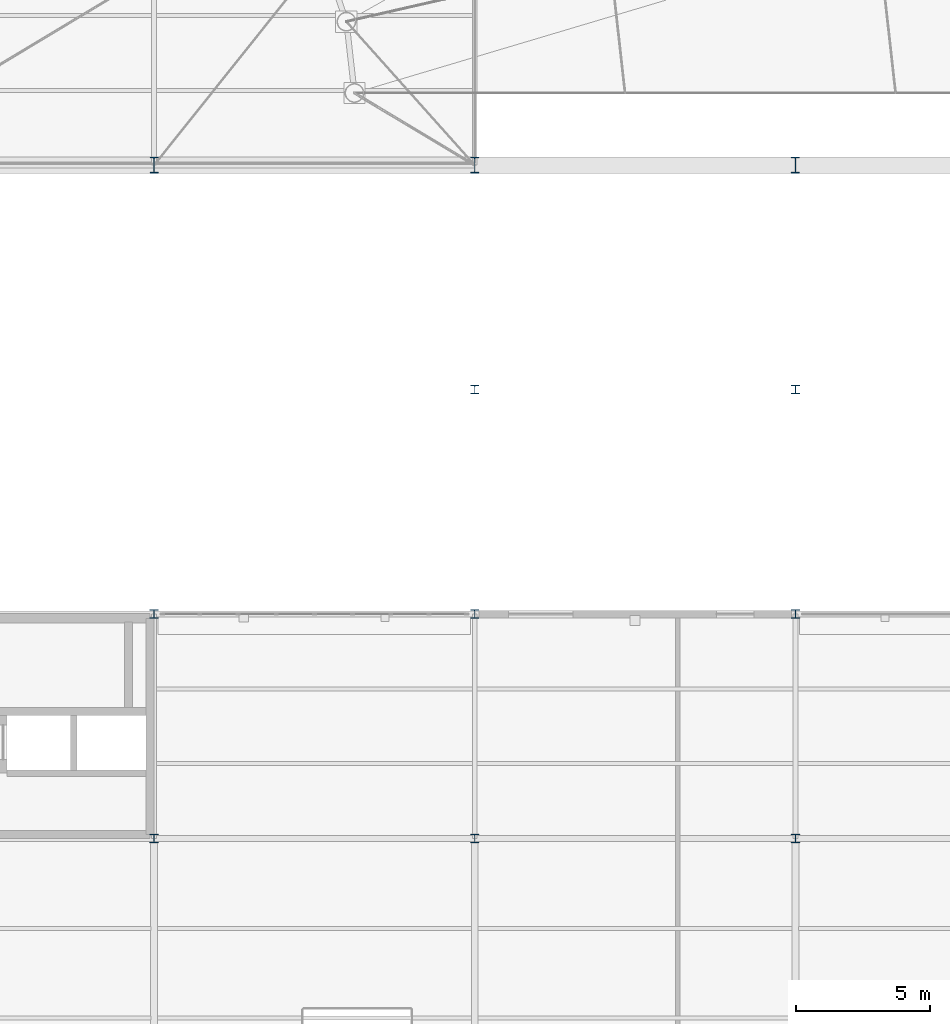
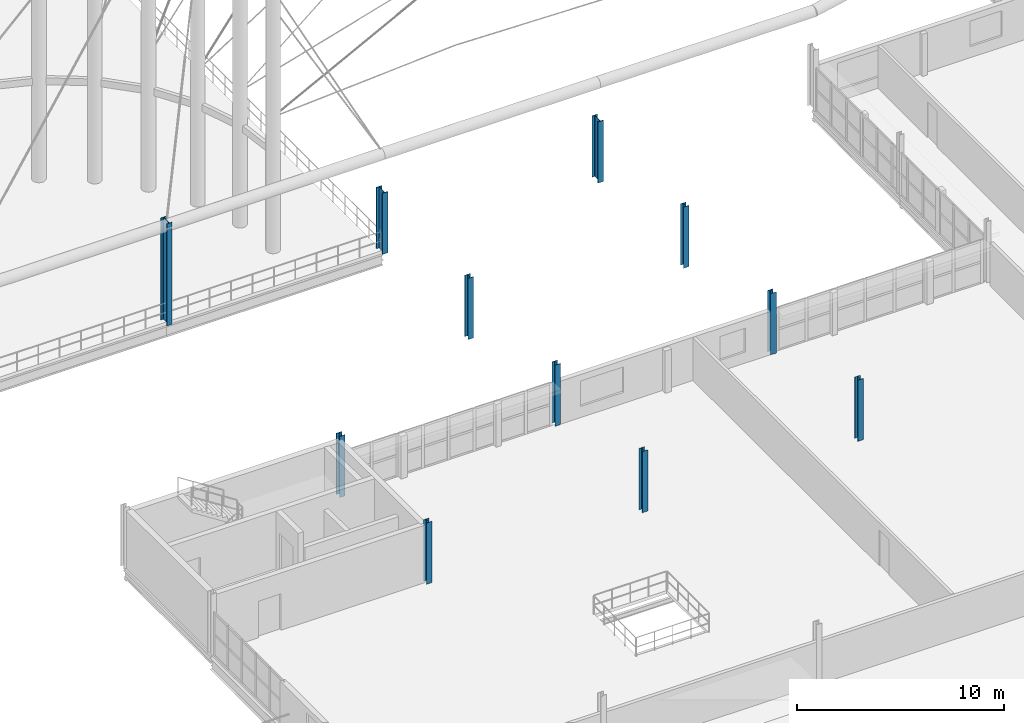
# One storey, part 19 of 101: 11 columns.
"""IFC4 building model written with IfcOpenShell, lengths in metres."""

from ifc_helpers import new_model, si_unit, direction, frame, origin, origin_2d, place, context, subcontext, project, spatial, i_section, extrude, material, material_profile, profile_set, type_object, element, save


model = new_model("IFC4")

# Units and contexts
model_context = context("Model", 3, precision=1e-05, world=origin(), true_north=direction((0.0, 1.0)))
body_context = subcontext(model_context, "Body", "Model", "MODEL_VIEW")
ifc_project = project(units=[si_unit("LENGTHUNIT", "METRE"), si_unit("AREAUNIT", "SQUARE_METRE"), si_unit("VOLUMEUNIT", "CUBIC_METRE"), si_unit("PLANEANGLEUNIT", "RADIAN"), si_unit("MASSUNIT", "GRAM", prefix="KILO"), si_unit("THERMODYNAMICTEMPERATUREUNIT", "KELVIN"), si_unit("POWERUNIT", "WATT")], contexts=[model_context])

# Site, building, storey
site_placement = place(None, origin())
site = spatial("IfcSite", under=ifc_project, at=site_placement, CompositionType="ELEMENT")
building_placement = place(site_placement, origin())
building = spatial("IfcBuilding", under=site, at=building_placement, Name="Tembeka Court Mobility Hub", CompositionType="ELEMENT")
storey_placement = place(building_placement, frame((0.0, 0.0, 5.39990234375)))
storey = spatial("IfcBuildingStorey", under=building, at=storey_placement, Name="L01", CompositionType="ELEMENT", Elevation=5.39990234375)

# Columns
ifc_material = material(Name="Steel S355", Category="steel")
ifc_material_profile_1 = material_profile(ifc_material, i_section(OverallWidth=0.30908203125, OverallDepth=0.321044921875, WebThickness=0.013916015625, FlangeThickness=0.021728515625, FilletRadius=0.01513671875, at=origin_2d()), Name="UKC 305x305x137")
ifc_profile_set_1 = profile_set([ifc_material_profile_1], Name="Steel S355")
column_type_1 = type_object("IfcColumnType", Name="COL-C04", PredefinedType="COLUMN", material=ifc_profile_set_1)
for number, where, z_axis, x_axis, name in (
    (1, (128.39990234375, 38.39990234375, 0.0), (0.0, 0.0, 1.0), (1.0, 0.0, 0.0), "Column C04 (L01-176)"),
    (2, (128.39990234375, 46.800048828125, 0.0), (0.0, 0.0, 1.0), (1.0, 0.0, 0.0), "Column C04 (L01-177)"),
    (3, (140.39990234375, 38.39990234375, 0.0), (0.0, 0.0, 1.0), (1.0, 0.0, 0.0), "Column C04 (L01-196)"),
    (4, (140.39990234375, 46.800048828125, 0.0), (0.0, 0.0, 1.0), (1.0, 0.0, 0.0), "Column C04 (L01-197)"),
    (5, (140.39990234375, 55.199951171875, 0.0), (0.0, 0.0, 1.0), (1.0, 0.0, 0.0), "Column C04 (L01-198)"),
    (6, (152.39990234375, 38.39990234375, 0.0), (0.0, 0.0, 1.0), (1.0, 0.0, 0.0), "Column C04 (L01-209)"),
    (7, (152.39990234375, 46.800048828125, 0.0), (0.0, 0.0, 1.0), (1.0, 0.0, 0.0), "Column C04 (L01-210)"),
    (8, (152.39990234375, 55.199951171875, 0.0), (0.0, 0.0, 1.0), (1.0, 0.0, 0.0), "Column C04 (L01-211)"),
):
    element("IfcColumn", number, at=place(storey_placement, frame(where, z_axis=z_axis, x_axis=x_axis)), inside=storey, type_object=column_type_1, Name=name, PredefinedType="COLUMN", context=body_context, shape_type="SweptSolid", body=[
        extrude(i_section(OverallWidth=0.30908203125, OverallDepth=0.321044921875, WebThickness=0.013916015625, FlangeThickness=0.021728515625, FilletRadius=0.01513671875, at=origin_2d()), origin(), (0.0, 0.0, 1.0), 3.60009765625),
    ])
ifc_material_profile_2 = material_profile(ifc_material, i_section(OverallWidth=0.300048828125, OverallDepth=0.60009765625, WebThickness=0.015380859375, FlangeThickness=0.030029296875, FilletRadius=0.027099609375, at=origin_2d()), Name="HEB 600")
ifc_profile_set_2 = profile_set([ifc_material_profile_2], Name="Steel S355")
column_type_2 = type_object("IfcColumnType", Name="COL-C06", PredefinedType="COLUMN", material=ifc_profile_set_2)
column_placement = place(storey_placement, frame((128.39990234375, 63.60009765625, 0.0), z_axis=(0.0, 0.0, 1.0), x_axis=(1.0, 0.0, 0.0)))
element("IfcColumn", 9, at=column_placement, inside=storey, type_object=column_type_2, Name="Column C06 (L01-179)", PredefinedType="COLUMN", context=body_context, shape_type="SweptSolid", body=[
    extrude(i_section(OverallWidth=0.300048828125, OverallDepth=0.60009765625, WebThickness=0.015380859375, FlangeThickness=0.030029296875, FilletRadius=0.027099609375, at=origin_2d()), origin(), (0.0, 0.0, 1.0), 6.0),
])
for number, where, z_axis, x_axis, name in (
    (10, (140.39990234375, 63.60009765625, 0.0), (0.0, 0.0, 1.0), (1.0, 0.0, 0.0), "Column C06 (L01-199)"),
    (11, (152.39990234375, 63.60009765625, 0.0), (0.0, 0.0, 1.0), (1.0, 0.0, 0.0), "Column C06 (L01-212)"),
):
    element("IfcColumn", number, at=place(storey_placement, frame(where, z_axis=z_axis, x_axis=x_axis)), inside=storey, type_object=column_type_2, Name=name, PredefinedType="COLUMN", context=body_context, shape_type="SweptSolid", body=[
        extrude(i_section(OverallWidth=0.300048828125, OverallDepth=0.60009765625, WebThickness=0.015380859375, FlangeThickness=0.030029296875, FilletRadius=0.027099609375, at=origin_2d()), origin(), (0.0, 0.0, 1.0), 3.60009765625),
    ])

save(model, "model.ifc")
